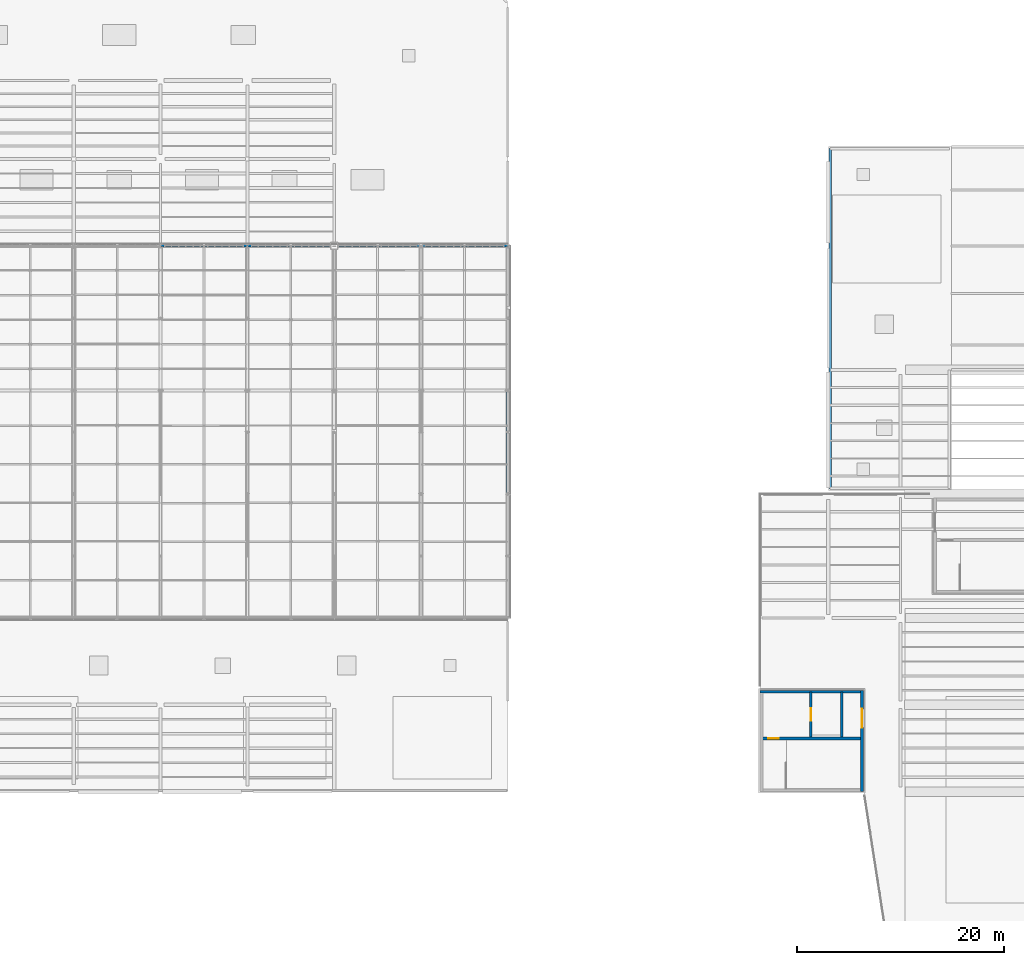
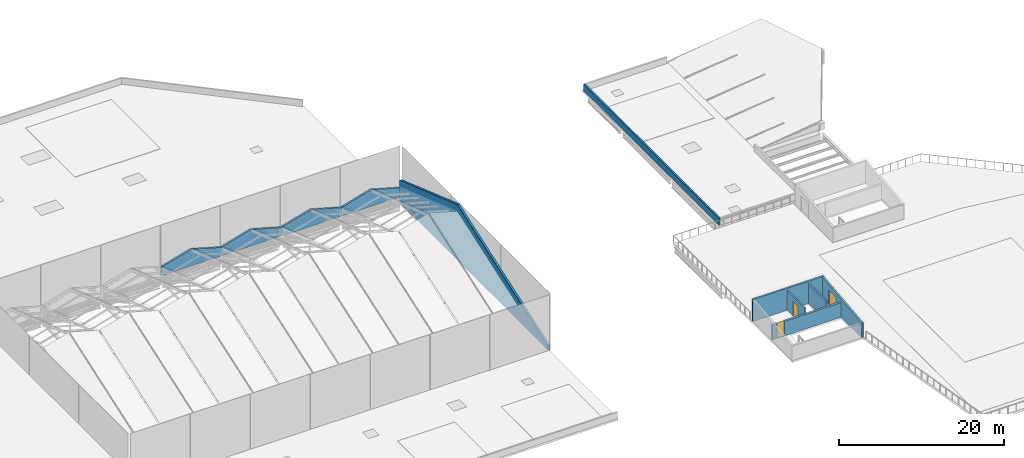
# One storey, part 72 of 77: 11 walls, 3 doors, 3 openings.
"""IFC4 building model written with IfcOpenShell, lengths in metres."""

from ifc_helpers import new_model, si_unit, direction, frame, frame_2d, origin, place, context, subcontext, project, spatial, polyline, rectangle, outline, extrude, material, layer, layer_set, type_object, element, fill, save


model = new_model("IFC4")

# Units and contexts
model_context = context("Model", 3, precision=1e-05, world=origin(), true_north=direction((0.0, 1.0)))
body_context = subcontext(model_context, "Body", "Model", "MODEL_VIEW")
ifc_project = project(units=[si_unit("LENGTHUNIT", "METRE"), si_unit("AREAUNIT", "SQUARE_METRE"), si_unit("VOLUMEUNIT", "CUBIC_METRE"), si_unit("PLANEANGLEUNIT", "RADIAN"), si_unit("MASSUNIT", "GRAM", prefix="KILO")], contexts=[model_context])

# Site, building, storey
site_placement = place(None, origin())
site = spatial("IfcSite", under=ifc_project, at=site_placement, CompositionType="ELEMENT")
building_placement = place(site_placement, origin())
building = spatial("IfcBuilding", under=site, at=building_placement, Name="Larkvane Passage Sports Hall", CompositionType="ELEMENT")
storey_placement = place(building_placement, frame((0.0, 0.0, 22.199951171875)))
storey = spatial("IfcBuildingStorey", under=building, at=storey_placement, Name="RF", CompositionType="ELEMENT", Elevation=22.199951171875)

# Wall, opening, door
ifc_material_1 = material(Name="Concrete C50/60", Category="concrete")
ifc_layer_1 = layer(ifc_material_1, 0.340087890625)
ifc_layer_set_1 = layer_set([ifc_layer_1], Name="Concrete C50/60")
wall_type_1 = type_object("IfcWallType", Name="WL-CORE-340", PredefinedType="SHEAR", material=ifc_layer_set_1)
wall_1_placement = place(storey_placement, frame((118.1298828125, 27.949951171875, 0.0), z_axis=(0.0, 0.0, 1.0), x_axis=(1.0, 0.0, 0.0)))
wall_1 = element("IfcWall", 1, at=wall_1_placement, inside=storey, type_object=wall_type_1, Name="Core stair division wall C5 RF", PredefinedType="SHEAR", context=body_context, shape_type="SweptSolid", body=[
    extrude(rectangle(XDim=9.740234375, YDim=0.300048828125, at=frame_2d((4.8701171875, 0.0))), origin(), (0.0, 0.0, 1.0), 2.16015625),
])
opening_1_placement = place(wall_1_placement, frame((0.64990234375, 0.0, 0.0)))
opening_1 = element("IfcOpeningElement", 2, at=opening_1_placement, cuts=wall_1, Name="Opening DF-01", PredefinedType="OPENING", context=body_context, shape_type="SweptSolid", body=[
    extrude(rectangle(XDim=1.050048828125, YDim=2.199951171875, at=frame_2d((0.52490234375, 1.10009765625))), frame((0.0, 0.159912109375, 0.0), z_axis=(0.0, -1.0, 0.0), x_axis=(1.0, 0.0, 0.0)), (0.0, 0.0, 1.0), 0.320068359375),
])
ifc_material_2 = material(Name="Steel S355JR smoke-sealed fire door", Category="steel")
door_type_1 = type_object("IfcDoorType", Name="DR-FIRE-1050", OperationType="NOTDEFINED", PredefinedType="DOOR", material=ifc_material_2)
door_1_placement = place(opening_1_placement, origin())
door_1 = element("IfcDoor", 3, at=door_1_placement, inside=storey, type_object=door_type_1, Name="Stair ST-05 RF lobby door", OperationType="SINGLE_SWING_RIGHT", OverallHeight=2.199951171875, OverallWidth=1.050048828125, PredefinedType="DOOR", context=body_context, shape_type="SweptSolid", body=[
    extrude(rectangle(XDim=1.050048828125, YDim=2.199951171875, at=frame_2d((0.52490234375, 1.10009765625))), frame((0.0, 0.02490234375, 0.0), z_axis=(0.0, -1.0, 0.0), x_axis=(1.0, 0.0, 0.0)), (0.0, 0.0, 1.0), 0.050048828125),
])
fill(opening_1, door_1)

# Walls
ifc_material_3 = material(Name="Precast concrete C45/55", Category="concrete")
ifc_layer_2 = layer(ifc_material_3, 0.260009765625)
ifc_layer_set_2 = layer_set([ifc_layer_2], Name="Precast concrete C45/55")
wall_type_2 = type_object("IfcWallType", Name="WL-GABLE-260", PredefinedType="SOLIDWALL", material=ifc_layer_set_2)
wall_2_placement = place(storey_placement, frame((68.39990234375, 75.60009765625, 0.9599609375), z_axis=(0.0, 0.0, 1.0), x_axis=(-1.0, 0.0, 0.0)))
element("IfcWall", 4, at=wall_2_placement, inside=storey, type_object=wall_type_2, Name="North folded-plate clerestory pleat 4", PredefinedType="SOLIDWALL", context=body_context, shape_type="SweptSolid", body=[
    extrude(outline(polyline([(0.0, 0.0), (8.39990234375, 0.0), (8.39990234375, 1.280029296875), (4.199951171875, 2.460205078125), (0.0, 1.280029296875), (0.0, 0.0)])), frame((0.0, 0.1298828125, 0.0), z_axis=(0.0, -1.0, 0.0), x_axis=(1.0, 0.0, 0.0)), (0.0, 0.0, 1.0), 0.260009765625),
])
wall_3_placement = place(storey_placement, frame((76.800048828125, 75.60009765625, 0.9599609375), z_axis=(0.0, 0.0, 1.0), x_axis=(-1.0, 0.0, 0.0)))
element("IfcWall", 5, at=wall_3_placement, inside=storey, type_object=wall_type_2, Name="North folded-plate clerestory pleat 5", PredefinedType="SOLIDWALL", context=body_context, shape_type="SweptSolid", body=[
    extrude(outline(polyline([(0.0, 0.0), (8.400146484375, 0.0), (8.39990234375, 1.280029296875), (4.199951171875, 2.460205078125), (0.0, 1.280029296875), (0.0, 0.0)])), frame((0.0, 0.1298828125, 0.0), z_axis=(0.0, -1.0, 0.0), x_axis=(1.0, 0.0, 0.0)), (0.0, 0.0, 1.0), 0.260009765625),
])
wall_4_placement = place(storey_placement, frame((85.199951171875, 75.60009765625, 0.9599609375), z_axis=(0.0, 0.0, 1.0), x_axis=(-1.0, 0.0, 0.0)))
element("IfcWall", 6, at=wall_4_placement, inside=storey, type_object=wall_type_2, Name="North folded-plate clerestory pleat 6", PredefinedType="SOLIDWALL", context=body_context, shape_type="SweptSolid", body=[
    extrude(outline(polyline([(0.0, 0.0), (8.39990234375, 0.0), (8.39990234375, 1.280029296875), (4.199951171875, 2.460205078125), (0.0, 1.280029296875), (0.0, 0.0)])), frame((0.0, 0.1298828125, 0.0), z_axis=(0.0, -1.0, 0.0), x_axis=(1.0, 0.0, 0.0)), (0.0, 0.0, 1.0), 0.260009765625),
])
wall_5_placement = place(storey_placement, frame((93.60009765625, 75.60009765625, 0.9599609375), z_axis=(0.0, 0.0, 1.0), x_axis=(-1.0, 0.0, 0.0)))
element("IfcWall", 7, at=wall_5_placement, inside=storey, type_object=wall_type_2, Name="North folded-plate clerestory pleat 7", PredefinedType="SOLIDWALL", context=body_context, shape_type="SweptSolid", body=[
    extrude(outline(polyline([(0.0, 0.0), (8.400146484375, 0.0), (8.39990234375, 1.280029296875), (4.199951171875, 2.460205078125), (0.0, 1.280029296875), (0.0, 0.0)])), frame((0.0, 0.1298828125, 0.0), z_axis=(0.0, -1.0, 0.0), x_axis=(1.0, 0.0, 0.0)), (0.0, 0.0, 1.0), 0.260009765625),
])
ifc_layer_3 = layer(ifc_material_3, 0.300048828125)
ifc_layer_set_3 = layer_set([ifc_layer_3], Name="Precast concrete C45/55")
wall_type_3 = type_object("IfcWallType", Name="WL-GABLE-300", PredefinedType="SOLIDWALL", material=ifc_layer_set_3)
wall_6_placement = place(storey_placement, frame((93.60009765625, 39.60009765625, 0.010009765625), z_axis=(0.0, 0.0, 1.0), x_axis=(0.0, 1.0, 0.0)))
element("IfcWall", 8, at=wall_6_placement, inside=storey, type_object=wall_type_3, Name="Arena east folded-plate gable closure wall", PredefinedType="SOLIDWALL", context=body_context, shape_type="SweptSolid", body=[
    extrude(outline(polyline([(0.0, 0.0), (36.0, 0.0), (36.0, 3.340087890625), (22.0, 8.239990234375), (0.0, 0.64013671875), (0.0, 0.0)])), frame((0.0, 0.14990234375, 0.0), z_axis=(0.0, -1.0, 0.0), x_axis=(1.0, 0.0, 0.0)), (0.0, 0.0, 1.0), 0.300048828125),
])

# Wall, opening, door
ifc_layer_4 = layer(ifc_material_3, 0.260009765625)
ifc_layer_set_4 = layer_set([ifc_layer_4], Name="Precast concrete C45/55")
wall_type_4 = type_object("IfcWallType", Name="WL-HH-260", PredefinedType="SOLIDWALL", material=ifc_layer_set_4)
wall_7_placement = place(storey_placement, frame((127.8701171875, 22.800048828125, 0.0), z_axis=(0.0, 0.0, 1.0), x_axis=(0.0, 1.0, 0.0)))
wall_7 = element("IfcWall", 9, at=wall_7_placement, inside=storey, type_object=wall_type_4, Name="Roof stair head-house wall WAL-HH-C5-E", PredefinedType="SOLIDWALL", context=body_context, shape_type="SweptSolid", body=[
    extrude(outline(polyline([(0.0, 0.0), (9.800048828125, 0.0), (9.800048828125, 3.260009765625), (0.0, 2.16015625), (0.0, 0.0)])), frame((0.0, 0.1298828125, 0.0), z_axis=(0.0, -1.0, 0.0), x_axis=(1.0, 0.0, 0.0)), (0.0, 0.0, 1.0), 0.260009765625),
])
opening_2_placement = place(wall_7_placement, frame((6.199951171875, 0.0, 0.0)))
opening_2 = element("IfcOpeningElement", 10, at=opening_2_placement, cuts=wall_7, Name="Opening DE-03", PredefinedType="OPENING", context=body_context, shape_type="SweptSolid", body=[
    extrude(rectangle(XDim=1.800048828125, YDim=2.25, at=frame_2d((0.89990234375, 1.125))), frame((0.0, 0.139892578125, 0.0), z_axis=(0.0, -1.0, 0.0), x_axis=(1.0, 0.0, 0.0)), (0.0, 0.0, 1.0), 0.280029296875),
])
ifc_material_4 = material(Name="Galvanised steel S355JR fire exit leaf", Category="steel")
door_type_2 = type_object("IfcDoorType", Name="DR-EXIT-1800", OperationType="DOUBLE_DOOR_SINGLE_SWING", PredefinedType="DOOR", material=ifc_material_4)
door_2_placement = place(opening_2_placement, origin())
door_2 = element("IfcDoor", 11, at=door_2_placement, inside=storey, type_object=door_type_2, Name="Rooftop running track exit door C5", OperationType="DOUBLE_DOOR_SINGLE_SWING", OverallHeight=2.25, OverallWidth=1.800048828125, PredefinedType="DOOR", context=body_context, shape_type="SweptSolid", body=[
    extrude(rectangle(XDim=1.800048828125, YDim=2.25, at=frame_2d((0.89990234375, 1.125))), frame((0.0, 0.02490234375, 0.0), z_axis=(0.0, -1.0, 0.0), x_axis=(1.0, 0.0, 0.0)), (0.0, 0.0, 1.0), 0.050048828125),
])
fill(opening_2, door_2)

# Walls
wall_8_placement = place(storey_placement, frame((128.0, 32.469970703125, 0.0), z_axis=(0.0, 0.0, 1.0), x_axis=(-1.0, 0.0, 0.0)))
element("IfcWall", 12, at=wall_8_placement, inside=storey, type_object=wall_type_4, Name="Roof stair head-house wall WAL-HH-C5-N", PredefinedType="SOLIDWALL", context=body_context, shape_type="SweptSolid", body=[
    extrude(rectangle(XDim=10.0, YDim=0.260009765625, at=frame_2d((5.0, 0.0))), origin(), (0.0, 0.0, 1.0), 3.260009765625),
])
ifc_layer_5 = layer(ifc_material_3, 0.2451171875)
ifc_layer_set_5 = layer_set([ifc_layer_5], Name="Precast concrete C45/55")
wall_type_5 = type_object("IfcWallType", Name="WL-PAR-245", PredefinedType="PARAPET", material=ifc_layer_set_5)
wall_9_placement = place(storey_placement, frame((124.7900390625, 52.139892578125, 0.0), z_axis=(0.0, 0.0, 1.0), x_axis=(0.0, 1.0, 0.0)))
element("IfcWall", 13, at=wall_9_placement, inside=storey, type_object=wall_type_5, Name="Roof parapet PAR-RF-V4-W", PredefinedType="PARAPET", context=body_context, shape_type="SweptSolid", body=[
    extrude(rectangle(XDim=32.8701171875, YDim=0.2451171875, at=frame_2d((16.43505859375, 0.0))), origin(), (0.0, 0.0, 1.0), 0.949951171875),
])

# Wall, opening, door
ifc_material_5 = material(Name="Concrete C40/50", Category="concrete")
ifc_layer_6 = layer(ifc_material_5, 0.219970703125)
ifc_layer_set_6 = layer_set([ifc_layer_6], Name="Concrete C40/50")
wall_type_6 = type_object("IfcWallType", Name="WL-SHAFT-220", PredefinedType="SOLIDWALL", material=ifc_layer_set_6)
wall_10_placement = place(storey_placement, frame((122.909912109375, 28.10009765625, 0.0), z_axis=(0.0, 0.0, 1.0), x_axis=(0.0, 1.0, 0.0)))
wall_10 = element("IfcWall", 14, at=wall_10_placement, inside=storey, type_object=wall_type_6, Name="Lift shaft front wall FL-02 RF", PredefinedType="SOLIDWALL", context=body_context, shape_type="SweptSolid", body=[
    extrude(rectangle(XDim=4.349853515625, YDim=0.219970703125, at=frame_2d((2.1748046875, 0.0))), origin(), (0.0, 0.0, 1.0), 2.900146484375),
])
opening_3_placement = place(wall_10_placement, frame((1.574951171875, 0.0, 0.0)))
opening_3 = element("IfcOpeningElement", 15, at=opening_3_placement, cuts=wall_10, Name="Opening LD-01", PredefinedType="OPENING", context=body_context, shape_type="SweptSolid", body=[
    extrude(rectangle(XDim=1.199951171875, YDim=2.199951171875, at=frame_2d((0.60009765625, 1.10009765625))), frame((0.0, 0.119873046875, 0.0), z_axis=(0.0, -1.0, 0.0), x_axis=(1.0, 0.0, 0.0)), (0.0, 0.0, 1.0), 0.239990234375),
])
ifc_material_6 = material(Name="Stainless steel S355JR lift landing door", Category="steel")
door_type_3 = type_object("IfcDoorType", Name="DR-LIFT-1200", OperationType="SLIDING_TO_LEFT", PredefinedType="DOOR", material=ifc_material_6)
door_3_placement = place(opening_3_placement, origin())
door_3 = element("IfcDoor", 16, at=door_3_placement, inside=storey, type_object=door_type_3, Name="Lift landing door FL-02 RF", OperationType="SLIDING_TO_LEFT", OverallHeight=2.199951171875, OverallWidth=1.199951171875, PredefinedType="DOOR", context=body_context, shape_type="SweptSolid", body=[
    extrude(rectangle(XDim=1.199951171875, YDim=2.199951171875, at=frame_2d((0.60009765625, 1.10009765625))), frame((0.0, 0.02490234375, 0.0), z_axis=(0.0, -1.0, 0.0), x_axis=(1.0, 0.0, 0.0)), (0.0, 0.0, 1.0), 0.050048828125),
])
fill(opening_3, door_3)

# Wall
wall_11_placement = place(storey_placement, frame((125.889892578125, 28.10009765625, 0.0), z_axis=(0.0, 0.0, 1.0), x_axis=(0.0, 1.0, 0.0)))
element("IfcWall", 17, at=wall_11_placement, inside=storey, type_object=wall_type_6, Name="Lift shaft rear wall FL-02 RF", PredefinedType="SOLIDWALL", context=body_context, shape_type="SweptSolid", body=[
    extrude(rectangle(XDim=4.349853515625, YDim=0.219970703125, at=frame_2d((2.1748046875, 0.0))), origin(), (0.0, 0.0, 1.0), 2.900146484375),
])

save(model, "model.ifc")
